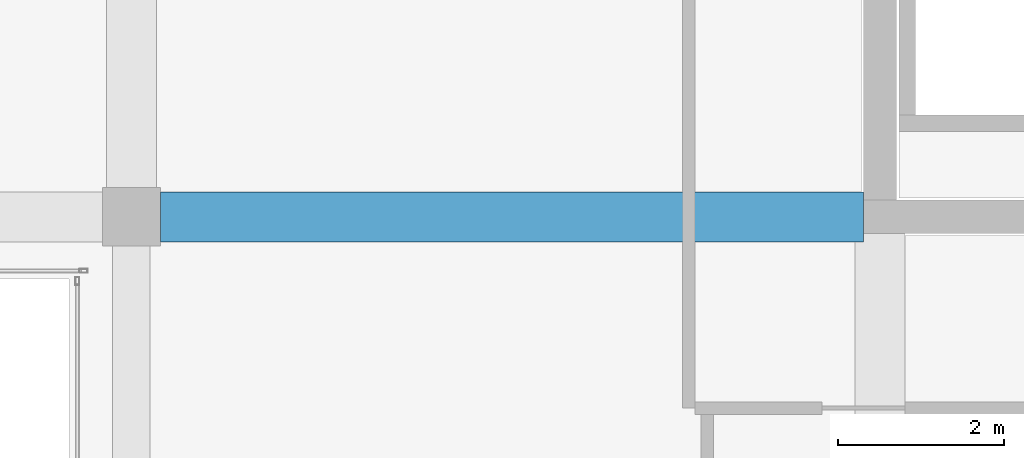
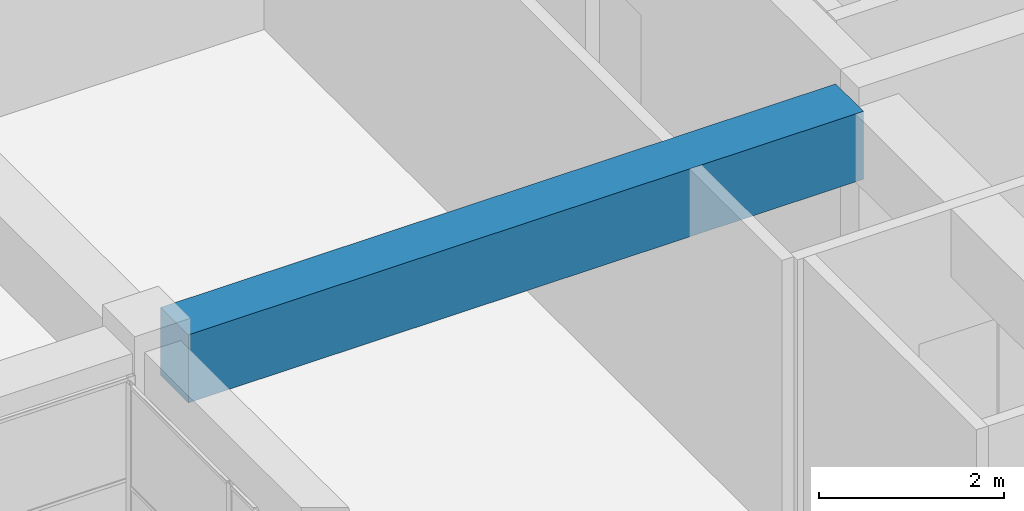
# One storey, part 17 of 49: 1 beam.
"""IFC4 building model written with IfcOpenShell, lengths in metres."""

from ifc_helpers import new_model, si_unit, direction, frame, origin, origin_2d, place, context, subcontext, project, spatial, rectangle, extrude, material, material_profile, profile_set, type_object, element, save


model = new_model("IFC4")

# Units and contexts
model_context = context("Model", 3, precision=1e-05, world=origin(), true_north=direction((0.0, 1.0)))
body_context = subcontext(model_context, "Body", "Model", "MODEL_VIEW")
ifc_project = project(units=[si_unit("LENGTHUNIT", "METRE"), si_unit("AREAUNIT", "SQUARE_METRE"), si_unit("VOLUMEUNIT", "CUBIC_METRE"), si_unit("PLANEANGLEUNIT", "RADIAN"), si_unit("MASSUNIT", "GRAM", prefix="KILO")], contexts=[model_context])

# Site, building, storey
site_placement = place(None, origin())
site = spatial("IfcSite", under=ifc_project, at=site_placement, CompositionType="ELEMENT")
building_placement = place(site_placement, origin())
building = spatial("IfcBuilding", under=site, at=building_placement, Name="Tuart Plaza Theatre", CompositionType="ELEMENT")
storey_placement = place(building_placement, frame((0.0, 0.0, 29.5)))
storey = spatial("IfcBuildingStorey", under=building, at=storey_placement, Name="L07", CompositionType="ELEMENT", Elevation=29.5)

# Beam
ifc_material = material(Name="Concrete N40 (40 MPa)", Category="concrete")
ifc_material_profile = material_profile(ifc_material, rectangle(XDim=0.60009765625, YDim=0.89990234375, at=origin_2d()), Name="BEAM 600x900 Concrete N40 (40 MPa)")
ifc_profile_set = profile_set([ifc_material_profile], Name="Concrete N40 (40 MPa)")
beam_type = type_object("IfcBeamType", Name="BEAM 600x900 Concrete N40 (40 MPa)", PredefinedType="BEAM", material=ifc_profile_set)
beam_placement = place(storey_placement, frame((114.35009765625, 65.0, 3.300048828125), z_axis=(1.0, 0.0, 0.0), x_axis=(0.0, 1.0, 0.0)))
element("IfcBeam", 1, at=beam_placement, inside=storey, type_object=beam_type, Name="RB258", PredefinedType="BEAM", context=body_context, shape_type="SweptSolid", body=[
    extrude(rectangle(XDim=0.60009765625, YDim=0.89990234375, at=origin_2d()), origin(), (0.0, 0.0, 1.0), 8.449951171875),
])

save(model, "model.ifc")
